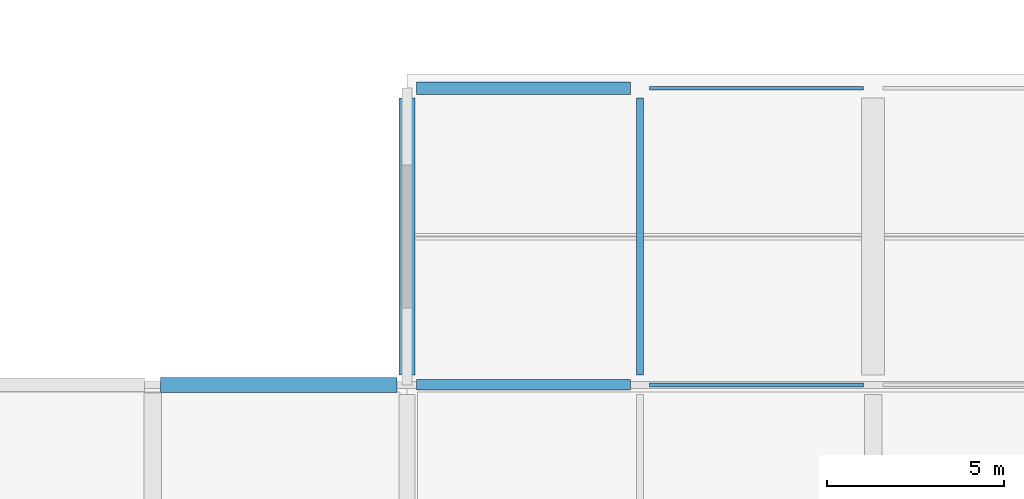
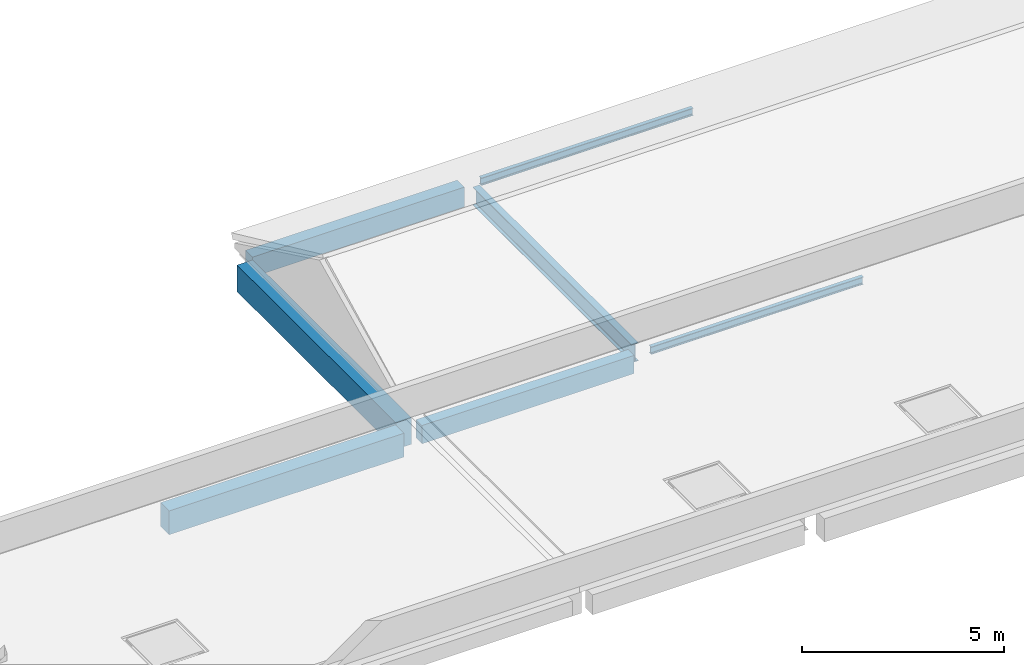
# One storey, part 78 of 124: 7 beams.
"""IFC4 building model written with IfcOpenShell, lengths in metres."""

from ifc_helpers import new_model, si_unit, direction, frame, origin, origin_2d, place, context, subcontext, project, spatial, rectangle, i_section, extrude, material, material_profile, profile_set, type_object, element, save


model = new_model("IFC4")

# Units and contexts
model_context = context("Model", 3, precision=1e-05, world=origin(), true_north=direction((0.0, 1.0)))
body_context = subcontext(model_context, "Body", "Model", "MODEL_VIEW")
ifc_project = project(units=[si_unit("LENGTHUNIT", "METRE"), si_unit("AREAUNIT", "SQUARE_METRE"), si_unit("VOLUMEUNIT", "CUBIC_METRE"), si_unit("PLANEANGLEUNIT", "RADIAN"), si_unit("MASSUNIT", "GRAM", prefix="KILO")], contexts=[model_context])

# Site, building, storey
site_placement = place(None, origin())
site = spatial("IfcSite", under=ifc_project, at=site_placement, CompositionType="ELEMENT")
building_placement = place(site_placement, origin())
building = spatial("IfcBuilding", under=site, at=building_placement, Name="Kalluvel Institute of Natural Sciences", CompositionType="ELEMENT")
storey_placement = place(building_placement, frame((0.0, 0.0, 9.89990234375)))
storey = spatial("IfcBuildingStorey", under=building, at=storey_placement, Name="L02", CompositionType="ELEMENT", Elevation=9.89990234375)

# Beams
ifc_material_1 = material(Name="Steel E350 Grade 350", Category="steel")
ifc_material_profile_1 = material_profile(ifc_material_1, i_section(OverallWidth=0.110107421875, OverallDepth=0.22509765625, WebThickness=0.006591796875, FlangeThickness=0.01171875, FilletRadius=0.011962890625, at=origin_2d()), Name="ISMB 225")
ifc_profile_set_1 = profile_set([ifc_material_profile_1], Name="Steel E350 Grade 350")
beam_type_1 = type_object("IfcBeamType", Name="BM-ISMB225", PredefinedType="BEAM", material=ifc_profile_set_1)
for number, where, z_axis, x_axis, name in (
    (1, (136.074951171875, 111.199951171875, -0.432373046875), (1.0, 0.0, 0.0), (0.0, 1.0, 0.0), "L02 girder GIR-L02-EW-X1358-Y1112"),
    (2, (136.074951171875, 119.60009765625, -0.432373046875), (1.0, 0.0, 0.0), (0.0, 1.0, 0.0), "L02 girder GIR-L02-EW-X1358-Y1196"),
):
    element("IfcBeam", number, at=place(storey_placement, frame(where, z_axis=z_axis, x_axis=x_axis)), inside=storey, type_object=beam_type_1, Name=name, PredefinedType="BEAM", context=body_context, shape_type="SweptSolid", body=[
        extrude(i_section(OverallWidth=0.110107421875, OverallDepth=0.22509765625, WebThickness=0.006591796875, FlangeThickness=0.01171875, FilletRadius=0.011962890625, at=origin_2d()), origin(), (0.0, 0.0, 1.0), 6.050048828125),
    ])
ifc_material_profile_2 = material_profile(ifc_material_1, i_section(OverallWidth=0.18994140625, OverallDepth=0.550048828125, WebThickness=0.01123046875, FlangeThickness=0.019287109375, FilletRadius=0.01806640625, at=origin_2d()), Name="ISMB 550")
ifc_profile_set_2 = profile_set([ifc_material_profile_2], Name="Steel E350 Grade 350")
beam_type_2 = type_object("IfcBeamType", Name="BM-ISMB550", PredefinedType="BEAM", material=ifc_profile_set_2)
beam_1_placement = place(storey_placement, frame((135.800048828125, 111.47509765625, -0.594970703125), z_axis=(0.0, 1.0, 0.0), x_axis=(-1.0, 0.0, 0.0)))
element("IfcBeam", 3, at=beam_1_placement, inside=storey, type_object=beam_type_2, Name="L02 girder GIR-L02-NS-X1358-Y1112", PredefinedType="BEAM", context=body_context, shape_type="SweptSolid", body=[
    extrude(i_section(OverallWidth=0.18994140625, OverallDepth=0.550048828125, WebThickness=0.01123046875, FlangeThickness=0.019287109375, FilletRadius=0.01806640625, at=origin_2d()), origin(), (0.0, 0.0, 1.0), 7.849853515625),
])
ifc_material_2 = material(Name="Concrete M40", Category="concrete")
ifc_material_profile_3 = material_profile(ifc_material_2, rectangle(XDim=0.300048828125, YDim=0.550048828125, at=origin_2d()), Name="RCB 300x550")
ifc_profile_set_3 = profile_set([ifc_material_profile_3], Name="Concrete M40")
beam_type_3 = type_object("IfcBeamType", Name="BM-RC300x550", PredefinedType="BEAM", material=ifc_profile_set_3)
beam_2_placement = place(storey_placement, frame((129.47509765625, 111.199951171875, -0.594970703125), z_axis=(1.0, 0.0, 0.0), x_axis=(0.0, 1.0, 0.0)))
element("IfcBeam", 4, at=beam_2_placement, inside=storey, type_object=beam_type_3, Name="L02 girder GIR-L02-EW-X1292-Y1112", PredefinedType="BEAM", context=body_context, shape_type="SweptSolid", body=[
    extrude(rectangle(XDim=0.300048828125, YDim=0.550048828125, at=origin_2d()), origin(), (0.0, 0.0, 1.0), 6.0498046875),
])
ifc_material_profile_4 = material_profile(ifc_material_2, rectangle(XDim=0.35009765625, YDim=0.60009765625, at=origin_2d()), Name="RCB 350x600")
ifc_profile_set_4 = profile_set([ifc_material_profile_4], Name="Concrete M40")
beam_type_4 = type_object("IfcBeamType", Name="BM-RC350x600", PredefinedType="BEAM", material=ifc_profile_set_4)
beam_3_placement = place(storey_placement, frame((129.47509765625, 119.60009765625, -0.619873046875), z_axis=(1.0, 0.0, 0.0), x_axis=(0.0, 1.0, 0.0)))
element("IfcBeam", 5, at=beam_3_placement, inside=storey, type_object=beam_type_4, Name="L02 girder GIR-L02-EW-X1292-Y1196", PredefinedType="BEAM", context=body_context, shape_type="SweptSolid", body=[
    extrude(rectangle(XDim=0.35009765625, YDim=0.60009765625, at=origin_2d()), origin(), (0.0, 0.0, 1.0), 6.0498046875),
])
ifc_material_profile_5 = material_profile(ifc_material_2, rectangle(XDim=0.419921875, YDim=0.719970703125, at=origin_2d()), Name="RCB 420x720")
ifc_profile_set_5 = profile_set([ifc_material_profile_5], Name="Concrete M40")
beam_type_5 = type_object("IfcBeamType", Name="BM-RC420x720", PredefinedType="BEAM", material=ifc_profile_set_5)
beam_4_placement = place(storey_placement, frame((122.22509765625, 111.199951171875, -0.679931640625), z_axis=(1.0, 0.0, 0.0), x_axis=(0.0, 1.0, 0.0)))
element("IfcBeam", 6, at=beam_4_placement, inside=storey, type_object=beam_type_5, Name="L02 girder GIR-L02-EW-X1220-Y1112", PredefinedType="BEAM", context=body_context, shape_type="SweptSolid", body=[
    extrude(rectangle(XDim=0.419921875, YDim=0.719970703125, at=origin_2d()), origin(), (0.0, 0.0, 1.0), 6.699951171875),
])
ifc_material_profile_6 = material_profile(ifc_material_2, rectangle(XDim=0.449951171875, YDim=0.800048828125, at=origin_2d()), Name="RCB 450x800")
ifc_profile_set_6 = profile_set([ifc_material_profile_6], Name="Concrete M40")
beam_type_6 = type_object("IfcBeamType", Name="BM-RC450x800", PredefinedType="BEAM", material=ifc_profile_set_6)
beam_5_placement = place(storey_placement, frame((129.199951171875, 111.47509765625, -0.719970703125), z_axis=(0.0, 1.0, 0.0), x_axis=(-1.0, 0.0, 0.0)))
element("IfcBeam", 7, at=beam_5_placement, inside=storey, type_object=beam_type_6, Name="L02 girder GIR-L02-NS-X1292-Y1112", PredefinedType="BEAM", context=body_context, shape_type="SweptSolid", body=[
    extrude(rectangle(XDim=0.449951171875, YDim=0.800048828125, at=origin_2d()), origin(), (0.0, 0.0, 1.0), 7.849853515625),
])

save(model, "model.ifc")
